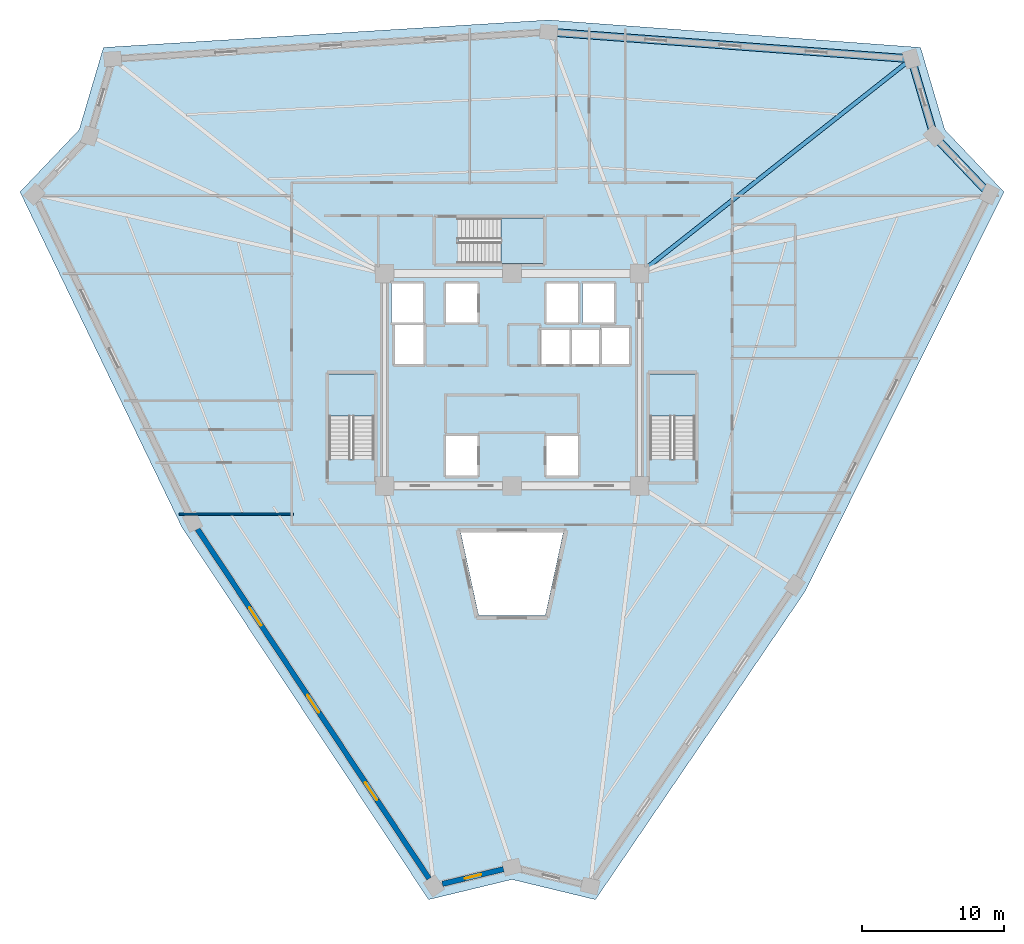
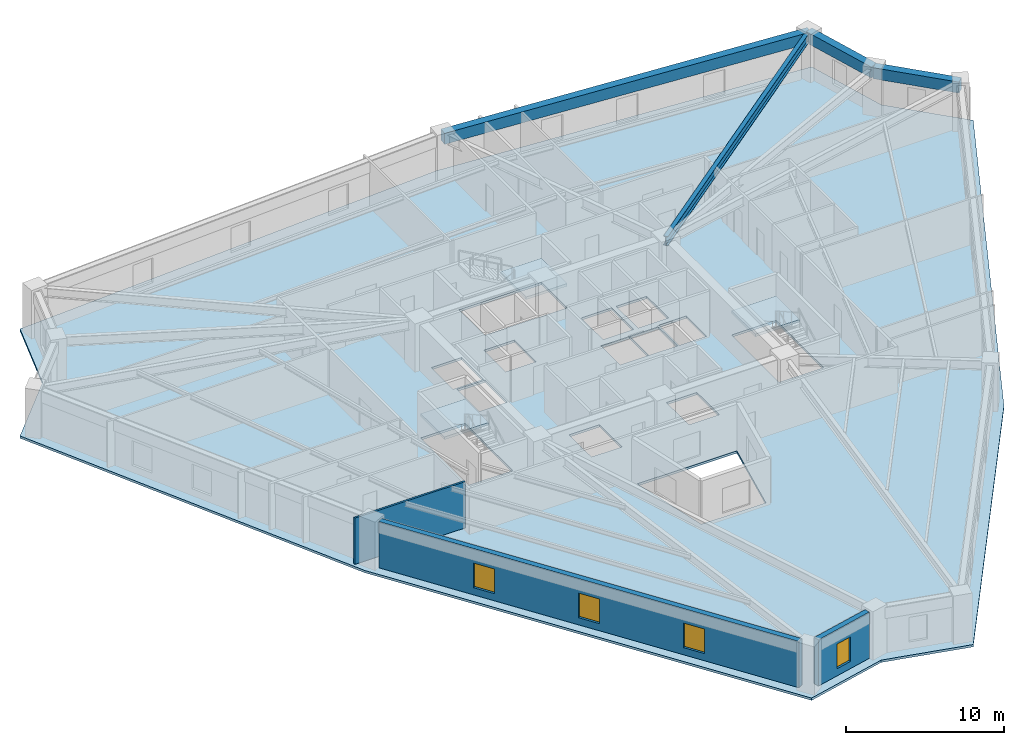
# One storey, part 2 of 8: 4 beams, 4 slabs, 4 windows, 3 walls, 4 openings, 3 elements without a shape of their own.
"""IFC4 building model written with IfcOpenShell, lengths in metres."""

from ifc_helpers import new_model, si_unit, direction, frame, frame_2d, origin, origin_2d, place, context, subcontext, project, spatial, polyline, rectangle, i_section, outline, extrude, source, transform, mapped, material, layer, layer_set, material_profile, profile_set, type_object, element, fill, aggregate, save


model = new_model("IFC4")

# Units and contexts
model_context = context("Model", 3, precision=1e-05, world=origin(), true_north=direction((0.0, 1.0)))
body_context = subcontext(model_context, "Body", "Model", "MODEL_VIEW")
ifc_project = project(units=[si_unit("LENGTHUNIT", "METRE"), si_unit("AREAUNIT", "SQUARE_METRE"), si_unit("VOLUMEUNIT", "CUBIC_METRE"), si_unit("PLANEANGLEUNIT", "RADIAN"), si_unit("MASSUNIT", "GRAM", prefix="KILO")], contexts=[model_context])

# Site, building, storey
site_placement = place(None, origin())
site = spatial("IfcSite", under=ifc_project, at=site_placement, CompositionType="ELEMENT")
building_placement = place(site_placement, origin())
building = spatial("IfcBuilding", under=site, at=building_placement, Name="Liaohun Quay Tower", CompositionType="ELEMENT")
storey_placement = place(building_placement, frame((0.0, 0.0, 205.5)))
storey = spatial("IfcBuildingStorey", under=building, at=storey_placement, Name="L53", CompositionType="ELEMENT", Elevation=205.5)

# Beams
ifc_material_1 = material(Name="Steel Q355D", Category="steel")
ifc_material_profile_1 = material_profile(ifc_material_1, i_section(OverallWidth=0.300048828125, OverallDepth=0.699951171875, WebThickness=0.012939453125, FlangeThickness=0.02392578125, at=origin_2d()), Name="HN700x300x13x24")
ifc_profile_set_1 = profile_set([ifc_material_profile_1], Name="Steel Q355D")
beam_type_1 = type_object("IfcBeamType", Name="BM-RAD-U1", PredefinedType="BEAM", material=ifc_profile_set_1)
shared_shape_1 = source(origin(), body_context, "Body", "SweptSolid", [
    extrude(i_section(OverallWidth=0.300048828125, OverallDepth=0.699951171875, WebThickness=0.012939453125, FlangeThickness=0.02392578125, at=origin_2d()), origin(), (0.0, 0.0, 1.0), 24.48388671875),
])
beam_1_placement = place(storey_placement, frame((69.0, 61.5, 3.219970703125), z_axis=(0.78492641016, 0.619589001381, 0.0), x_axis=(-0.619589001381, 0.78492641016, 0.0)))
element("IfcBeam", 1, at=beam_1_placement, inside=storey, type_object=beam_type_1, Name="L53 Radial Primary Girder CC4-PC07", PredefinedType="BEAM", context=body_context, shape_type="MappedRepresentation", body=[
    mapped(shared_shape_1, transform((0.0, 0.0, 0.0), x_axis=(1.0, 0.0, 0.0), y_axis=(0.0, 1.0, 0.0), z_axis=(0.0, 0.0, 1.0), scale=1.0)),
])
ifc_material_2 = material(Name="Precast concrete C50", Category="concrete")
ifc_material_profile_2 = material_profile(ifc_material_2, rectangle(XDim=0.550048828125, YDim=0.85009765625, at=origin_2d()), Name="RC550x850")
ifc_profile_set_2 = profile_set([ifc_material_profile_2], Name="Precast concrete C50")
beam_type_2 = type_object("IfcBeamType", Name="BM-SPD-Z3", PredefinedType="SPANDREL", material=ifc_profile_set_2)
shared_shape_2 = source(origin(), body_context, "Body", "SweptSolid", [
    extrude(rectangle(XDim=0.550048828125, YDim=0.85009765625, at=origin_2d()), origin(), (0.0, 0.0, 1.0), 25.69482421875),
])
beam_2_placement = place(storey_placement, frame((62.593017578125, 78.56201171875, 3.14501953125), z_axis=(0.997285096748, -0.073637190356, 0.0), x_axis=(0.073637190356, 0.997285096748, 0.0)))
element("IfcBeam", 2, at=beam_2_placement, inside=storey, type_object=beam_type_2, Name="L53 Precast Spandrel Beam PC06-PC07", PredefinedType="SPANDREL", context=body_context, shape_type="MappedRepresentation", body=[
    mapped(shared_shape_2, transform((0.0, 0.0, 0.0), x_axis=(1.0, 0.0, 0.0), y_axis=(0.0, 1.0, 0.0), z_axis=(0.0, 0.0, 1.0), scale=1.0)),
])
shared_shape_3 = source(origin(), body_context, "Body", "SweptSolid", [
    extrude(rectangle(XDim=0.550048828125, YDim=0.85009765625, at=origin_2d()), origin(), (0.0, 0.0, 1.0), 5.6826171875),
])
beam_3_placement = place(storey_placement, frame((88.218017578125, 76.669921875, 3.14501953125), z_axis=(0.282610563915, -0.959234731004, 0.0), x_axis=(0.959234731004, 0.282610563915, 0.0)))
element("IfcBeam", 3, at=beam_3_placement, inside=storey, type_object=beam_type_2, Name="L53 Precast Spandrel Beam PC07-PC08", PredefinedType="SPANDREL", context=body_context, shape_type="MappedRepresentation", body=[
    mapped(shared_shape_3, transform((0.0, 0.0, 0.0), x_axis=(1.0, 0.0, 0.0), y_axis=(0.0, 1.0, 0.0), z_axis=(0.0, 0.0, 1.0), scale=1.0)),
])
shared_shape_4 = source(origin(), body_context, "Body", "SweptSolid", [
    extrude(rectangle(XDim=0.550048828125, YDim=0.85009765625, at=origin_2d()), origin(), (0.0, 0.0, 1.0), 5.67431640625),
])
beam_4_placement = place(storey_placement, frame((89.823974609375, 71.218994140625, 3.14501953125), z_axis=(0.68944456778, -0.724338448488, 0.0), x_axis=(0.724338448488, 0.68944456778, 0.0)))
element("IfcBeam", 4, at=beam_4_placement, inside=storey, type_object=beam_type_2, Name="L53 Precast Spandrel Beam PC08-PC09", PredefinedType="SPANDREL", context=body_context, shape_type="MappedRepresentation", body=[
    mapped(shared_shape_4, transform((0.0, 0.0, 0.0), x_axis=(1.0, 0.0, 0.0), y_axis=(0.0, 1.0, 0.0), z_axis=(0.0, 0.0, 1.0), scale=1.0)),
])

# Stair, slab
ifc_material_3 = material(Name="Concrete C45", Category="concrete")
stair_type = type_object("IfcStairType", Name="STR-CORE-OFF", PredefinedType="HALF_TURN_STAIR", material=ifc_material_3)
stair_1_placement = place(storey_placement, origin())
stair_1 = element("IfcStair", 5, at=stair_1_placement, inside=storey, type_object=stair_type, Name="L53 Smokeproof Core Exit Stair ST-1", PredefinedType="HALF_TURN_STAIR")
ifc_layer_1 = layer(ifc_material_3, 0.199951171875, Name="Concrete C45", Category="concrete")
ifc_layer_set_1 = layer_set([ifc_layer_1], Name="Concrete C45")
slab_type_1 = type_object("IfcSlabType", Name="SLB-LND-200", PredefinedType="LANDING", material=ifc_layer_set_1)
slab_1_placement = place(storey_placement, frame((0.0, 0.0, 1.675048828125)))
slab_1 = element("IfcSlab", 6, at=slab_1_placement, type_object=slab_type_1, Name="ST-1 landing 1", PredefinedType="LANDING", context=body_context, shape_type="SweptSolid", body=[
    extrude(outline(polyline([(50.280029296875, 51.429931640625), (50.280029296875, 54.419921875), (47.0400390625, 54.419921875), (47.0400390625, 51.429931640625), (50.280029296875, 51.429931640625)])), origin(), (0.0, 0.0, 1.0), 0.199951171875),
])
aggregate(stair_1, [slab_1])

stair_2_placement = place(storey_placement, origin())
stair_2 = element("IfcStair", 7, at=stair_2_placement, inside=storey, type_object=stair_type, Name="L53 Smokeproof Core Exit Stair ST-2", PredefinedType="HALF_TURN_STAIR")
slab_2_placement = place(storey_placement, frame((0.0, 0.0, 1.675048828125)))
slab_2 = element("IfcSlab", 8, at=slab_2_placement, type_object=slab_type_1, Name="ST-2 landing 1", PredefinedType="LANDING", context=body_context, shape_type="SweptSolid", body=[
    extrude(outline(polyline([(72.9599609375, 51.429931640625), (72.9599609375, 54.419921875), (69.719970703125, 54.419921875), (69.719970703125, 51.429931640625), (72.9599609375, 51.429931640625)])), origin(), (0.0, 0.0, 1.0), 0.199951171875),
])
aggregate(stair_2, [slab_2])

stair_3_placement = place(storey_placement, origin())
stair_3 = element("IfcStair", 9, at=stair_3_placement, inside=storey, type_object=stair_type, Name="L53 Smokeproof Core Exit Stair ST-3", PredefinedType="HALF_TURN_STAIR")
slab_3_placement = place(storey_placement, frame((0.0, 0.0, 1.675048828125)))
slab_3 = element("IfcSlab", 10, at=slab_3_placement, type_object=slab_type_1, Name="ST-3 landing 1", PredefinedType="LANDING", context=body_context, shape_type="SweptSolid", body=[
    extrude(outline(polyline([(59.22998046875, 62.199951171875), (62.219970703125, 62.199951171875), (62.219970703125, 65.43994140625), (59.22998046875, 65.43994140625), (59.22998046875, 62.199951171875)])), origin(), (0.0, 0.0, 1.0), 0.199951171875),
])
aggregate(stair_3, [slab_3])

# Slab
ifc_layer_2 = layer(ifc_material_3, 0.179931640625, Name="Concrete C45", Category="concrete")
ifc_layer_set_2 = layer_set([ifc_layer_2], Name="Concrete C45")
slab_type_2 = type_object("IfcSlabType", Name="SLB-OFF-180", PredefinedType="FLOOR", material=ifc_layer_set_2)
slab_4_placement = place(storey_placement, frame((0.0, 0.0, -0.179931640625)))
element("IfcSlab", 11, at=slab_4_placement, inside=storey, type_object=slab_type_2, Name="L53 Structural Floor Slab", PredefinedType="FLOOR", context=body_context, shape_type="SweptSolid", body=[
    extrude(outline(polyline([(54.10498046875, 17.263916015625), (60.0, 18.68798828125), (65.89501953125, 17.263916015625), (80.7099609375, 39.04296875), (94.761962890625, 67.262939453125), (90.5810546875, 71.656005859375), (88.866943359375, 77.47412109375), (62.597900390625, 79.4140625), (31.133056640625, 77.47412109375), (29.4189453125, 71.656005859375), (25.238037109375, 67.262939453125), (36.69189453125, 43.54296875), (54.10498046875, 17.263916015625)]), holes=[polyline([(63.625, 43.199951171875), (56.375, 43.199951171875), (57.64404296875, 37.33203125), (62.35595703125, 37.33203125), (63.625, 43.199951171875)]), polyline([(57.56005859375, 47.2099609375), (57.56005859375, 50.030029296875), (55.340087890625, 50.030029296875), (55.340087890625, 47.2099609375), (57.56005859375, 47.2099609375)]), polyline([(50.280029296875, 54.419921875), (47.0400390625, 54.419921875), (47.0400390625, 48.409912109375), (50.280029296875, 48.409912109375), (50.280029296875, 54.419921875)]), polyline([(53.760009765625, 55.090087890625), (53.760009765625, 57.909912109375), (51.7099609375, 57.909912109375), (51.7099609375, 55.090087890625), (53.760009765625, 55.090087890625)]), polyline([(53.7099609375, 58.0400390625), (53.7099609375, 60.7900390625), (51.489990234375, 60.7900390625), (51.489990234375, 58.0400390625), (53.7099609375, 58.0400390625)]), polyline([(57.56005859375, 58.0400390625), (57.56005859375, 60.7900390625), (55.340087890625, 60.7900390625), (55.340087890625, 58.0400390625), (57.56005859375, 58.0400390625)]), polyline([(62.219970703125, 62.199951171875), (62.219970703125, 65.43994140625), (56.2099609375, 65.43994140625), (56.2099609375, 62.199951171875), (62.219970703125, 62.199951171875)]), polyline([(64.659912109375, 50.030029296875), (62.43994140625, 50.030029296875), (62.43994140625, 47.2099609375), (64.659912109375, 47.2099609375), (64.659912109375, 50.030029296875)]), polyline([(72.9599609375, 54.419921875), (69.719970703125, 54.419921875), (69.719970703125, 48.409912109375), (72.9599609375, 48.409912109375), (72.9599609375, 54.419921875)]), polyline([(64.06005859375, 55.090087890625), (64.06005859375, 57.510009765625), (61.989990234375, 57.510009765625), (61.989990234375, 55.090087890625), (64.06005859375, 55.090087890625)]), polyline([(66.159912109375, 55.090087890625), (66.159912109375, 57.510009765625), (64.090087890625, 57.510009765625), (64.090087890625, 55.090087890625), (66.159912109375, 55.090087890625)]), polyline([(68.2900390625, 55.090087890625), (68.2900390625, 57.659912109375), (66.2900390625, 57.659912109375), (66.2900390625, 55.090087890625), (68.2900390625, 55.090087890625)]), polyline([(64.659912109375, 58.0400390625), (64.659912109375, 60.7900390625), (62.43994140625, 60.7900390625), (62.43994140625, 58.0400390625), (64.659912109375, 58.0400390625)]), polyline([(67.2099609375, 58.0400390625), (67.2099609375, 60.7900390625), (64.989990234375, 60.7900390625), (64.989990234375, 58.0400390625), (67.2099609375, 58.0400390625)])]), origin(), (0.0, 0.0, 1.0), 0.179931640625),
])

# Wall, openings, windows
ifc_material_4 = material(Name="Precast concrete C50 insulated sandwich", Category="concrete")
ifc_layer_3 = layer(ifc_material_4, 0.3798828125, Name="Precast concrete C50 insulated sandwich", Category="concrete")
ifc_layer_set_3 = layer_set([ifc_layer_3], Name="Precast concrete C50 insulated sandwich")
wall_type_1 = type_object("IfcWallType", Name="WAL-EXT-Z34", PredefinedType="SOLIDWALL", material=ifc_layer_set_3)
wall_1_placement = place(storey_placement, frame((37.77197265625, 43.450927734375, 0.0), z_axis=(0.0, 0.0, 1.0), x_axis=(0.552363814136, -0.833603153085, 0.0)))
wall_1 = element("IfcWall", 12, at=wall_1_placement, inside=storey, type_object=wall_type_1, Name="L53 Brutalist Precast Pier Wall 11", PredefinedType="SOLIDWALL", context=body_context, shape_type="SweptSolid", body=[
    extrude(rectangle(XDim=29.639892578125, YDim=0.3798828125, at=frame_2d((14.81982421875, 0.0))), origin(), (0.0, 0.0, 1.0), 3.570068359375),
])
shared_shape_5 = source(origin(), body_context, "Body", "SweptSolid", [
    extrude(rectangle(XDim=1.5, YDim=1.89990234375, at=frame_2d((0.75, 0.949951171875))), frame((0.0, 0.199951171875, 0.0), z_axis=(0.0, -1.0, 0.0), x_axis=(1.0, 0.0, 0.0)), (0.0, 0.0, 1.0), 0.39990234375),
])
opening_1_placement = place(wall_1_placement, frame((6.659912109375, 0.0, 0.550048828125)))
opening_1 = element("IfcOpeningElement", 13, at=opening_1_placement, cuts=wall_1, Name="Opening W03", PredefinedType="OPENING", context=body_context, shape_type="MappedRepresentation", body=[
    mapped(shared_shape_5, transform((0.0, 0.0, 0.0), x_axis=(1.0, 0.0, 0.0), y_axis=(0.0, 1.0, 0.0), z_axis=(0.0, 0.0, 1.0), scale=1.0)),
])
opening_2_placement = place(wall_1_placement, frame((14.070068359375, 0.0, 0.550048828125)))
opening_2 = element("IfcOpeningElement", 14, at=opening_2_placement, cuts=wall_1, Name="Opening W03", PredefinedType="OPENING", context=body_context, shape_type="MappedRepresentation", body=[
    mapped(shared_shape_5, transform((0.0, 0.0, 0.0), x_axis=(1.0, 0.0, 0.0), y_axis=(0.0, 1.0, 0.0), z_axis=(0.0, 0.0, 1.0), scale=1.0)),
])
opening_3_placement = place(wall_1_placement, frame((21.47998046875, 0.0, 0.550048828125)))
opening_3 = element("IfcOpeningElement", 15, at=opening_3_placement, cuts=wall_1, Name="Opening W03", PredefinedType="OPENING", context=body_context, shape_type="MappedRepresentation", body=[
    mapped(shared_shape_5, transform((0.0, 0.0, 0.0), x_axis=(1.0, 0.0, 0.0), y_axis=(0.0, 1.0, 0.0), z_axis=(0.0, 0.0, 1.0), scale=1.0)),
])
ifc_material_5 = material(Name="Triple Low-E argon glazing in thermally broken aluminium", Category="aluminium")
window_type_1 = type_object("IfcWindowType", Name="WIN-PUN-Z3", PartitioningType="DOUBLE_PANEL_VERTICAL", PredefinedType="WINDOW", material=ifc_material_5)
shared_shape_6 = source(origin(), body_context, "Body", "SweptSolid", [
    extrude(rectangle(XDim=1.5, YDim=1.89990234375, at=frame_2d((0.75, 0.949951171875))), frame((0.0, 0.030029296875, 0.0), z_axis=(0.0, -1.0, 0.0), x_axis=(1.0, 0.0, 0.0)), (0.0, 0.0, 1.0), 0.06005859375),
])
window_1_placement = place(opening_1_placement, origin())
window_1 = element("IfcWindow", 16, at=window_1_placement, inside=storey, type_object=window_type_1, Name="L53 Recessed Cold-Climate Punched Window 11-1", OverallHeight=1.89990234375, OverallWidth=1.5, PartitioningType="DOUBLE_PANEL_VERTICAL", PredefinedType="WINDOW", context=body_context, shape_type="MappedRepresentation", body=[
    mapped(shared_shape_6, transform((0.0, 0.0, 0.0), x_axis=(1.0, 0.0, 0.0), y_axis=(0.0, 1.0, 0.0), z_axis=(0.0, 0.0, 1.0), scale=1.0)),
])
fill(opening_1, window_1)
window_2_placement = place(opening_2_placement, origin())
window_2 = element("IfcWindow", 17, at=window_2_placement, inside=storey, type_object=window_type_1, Name="L53 Recessed Cold-Climate Punched Window 11-2", OverallHeight=1.89990234375, OverallWidth=1.5, PartitioningType="DOUBLE_PANEL_VERTICAL", PredefinedType="WINDOW", context=body_context, shape_type="MappedRepresentation", body=[
    mapped(shared_shape_6, transform((0.0, 0.0, 0.0), x_axis=(1.0, 0.0, 0.0), y_axis=(0.0, 1.0, 0.0), z_axis=(0.0, 0.0, 1.0), scale=1.0)),
])
fill(opening_2, window_2)
window_3_placement = place(opening_3_placement, origin())
window_3 = element("IfcWindow", 18, at=window_3_placement, inside=storey, type_object=window_type_1, Name="L53 Recessed Cold-Climate Punched Window 11-3", OverallHeight=1.89990234375, OverallWidth=1.5, PartitioningType="DOUBLE_PANEL_VERTICAL", PredefinedType="WINDOW", context=body_context, shape_type="MappedRepresentation", body=[
    mapped(shared_shape_6, transform((0.0, 0.0, 0.0), x_axis=(1.0, 0.0, 0.0), y_axis=(0.0, 1.0, 0.0), z_axis=(0.0, 0.0, 1.0), scale=1.0)),
])
fill(opening_3, window_3)

# Wall, opening, window
wall_2_placement = place(storey_placement, frame((55.08203125, 18.3740234375, 0.0), z_axis=(0.0, 0.0, 1.0), x_axis=(0.972022121838, 0.234889324271, 0.0)))
wall_2 = element("IfcWall", 19, at=wall_2_placement, inside=storey, type_object=wall_type_1, Name="L53 Brutalist Precast Pier Wall 12", PredefinedType="SOLIDWALL", context=body_context, shape_type="SweptSolid", body=[
    extrude(rectangle(XDim=4.4443359375, YDim=0.3798828125, at=frame_2d((2.22216796875, 0.0))), origin(), (0.0, 0.0, 1.0), 3.570068359375),
])
shared_shape_7 = source(origin(), body_context, "Body", "SweptSolid", [
    extrude(rectangle(XDim=1.199951171875, YDim=1.89990234375, at=frame_2d((0.60009765625, 0.949951171875))), frame((0.0, 0.199951171875, 0.0), z_axis=(0.0, -1.0, 0.0), x_axis=(1.0, 0.0, 0.0)), (0.0, 0.0, 1.0), 0.39990234375),
])
opening_4_placement = place(wall_2_placement, frame((1.6220703125, 0.0, 0.550048828125)))
opening_4 = element("IfcOpeningElement", 20, at=opening_4_placement, cuts=wall_2, Name="Opening W05", PredefinedType="OPENING", context=body_context, shape_type="MappedRepresentation", body=[
    mapped(shared_shape_7, transform((0.0, 0.0, 0.0), x_axis=(1.0, 0.0, 0.0), y_axis=(0.0, 1.0, 0.0), z_axis=(0.0, 0.0, 1.0), scale=1.0)),
])
ifc_material_6 = material(Name="Triple Low-E corner notch glazing", Category="glass")
window_type_2 = type_object("IfcWindowType", Name="WIN-NOTCH", PartitioningType="SINGLE_PANEL", PredefinedType="WINDOW", material=ifc_material_6)
shared_shape_8 = source(origin(), body_context, "Body", "SweptSolid", [
    extrude(rectangle(XDim=1.199951171875, YDim=1.89990234375, at=frame_2d((0.60009765625, 0.949951171875))), frame((0.0, 0.030029296875, 0.0), z_axis=(0.0, -1.0, 0.0), x_axis=(1.0, 0.0, 0.0)), (0.0, 0.0, 1.0), 0.06005859375),
])
window_4_placement = place(opening_4_placement, origin())
window_4 = element("IfcWindow", 21, at=window_4_placement, inside=storey, type_object=window_type_2, Name="L53 Corner Notch Window W05-12", OverallHeight=1.89990234375, OverallWidth=1.199951171875, PartitioningType="SINGLE_PANEL", PredefinedType="WINDOW", context=body_context, shape_type="MappedRepresentation", body=[
    mapped(shared_shape_8, transform((0.0, 0.0, 0.0), x_axis=(1.0, 0.0, 0.0), y_axis=(0.0, 1.0, 0.0), z_axis=(0.0, 0.0, 1.0), scale=1.0)),
])
fill(opening_4, window_4)

# Wall
ifc_material_7 = material(Name="Gypsum board on twin steel studs", Category="steel")
ifc_layer_4 = layer(ifc_material_7, 0.139892578125, Name="Gypsum board on twin steel studs", Category="steel")
ifc_layer_set_4 = layer_set([ifc_layer_4], Name="Gypsum board on twin steel studs")
wall_type_2 = type_object("IfcWallType", Name="WAL-PRT-OFF", PredefinedType="PARTITIONING", material=ifc_layer_set_4)
wall_3_placement = place(storey_placement, frame((44.5400390625, 44.5, 0.0), z_axis=(0.0, 0.0, 1.0), x_axis=(-1.0, 0.0, 0.0)))
element("IfcWall", 22, at=wall_3_placement, inside=storey, type_object=wall_type_2, Name="L53 Interior Partition Wall 042", PredefinedType="PARTITIONING", context=body_context, shape_type="SweptSolid", body=[
    extrude(rectangle(XDim=8.06591796875, YDim=0.139892578125, at=frame_2d((4.032958984375, 0.0))), origin(), (0.0, 0.0, 1.0), 3.570068359375),
])

save(model, "model.ifc")
